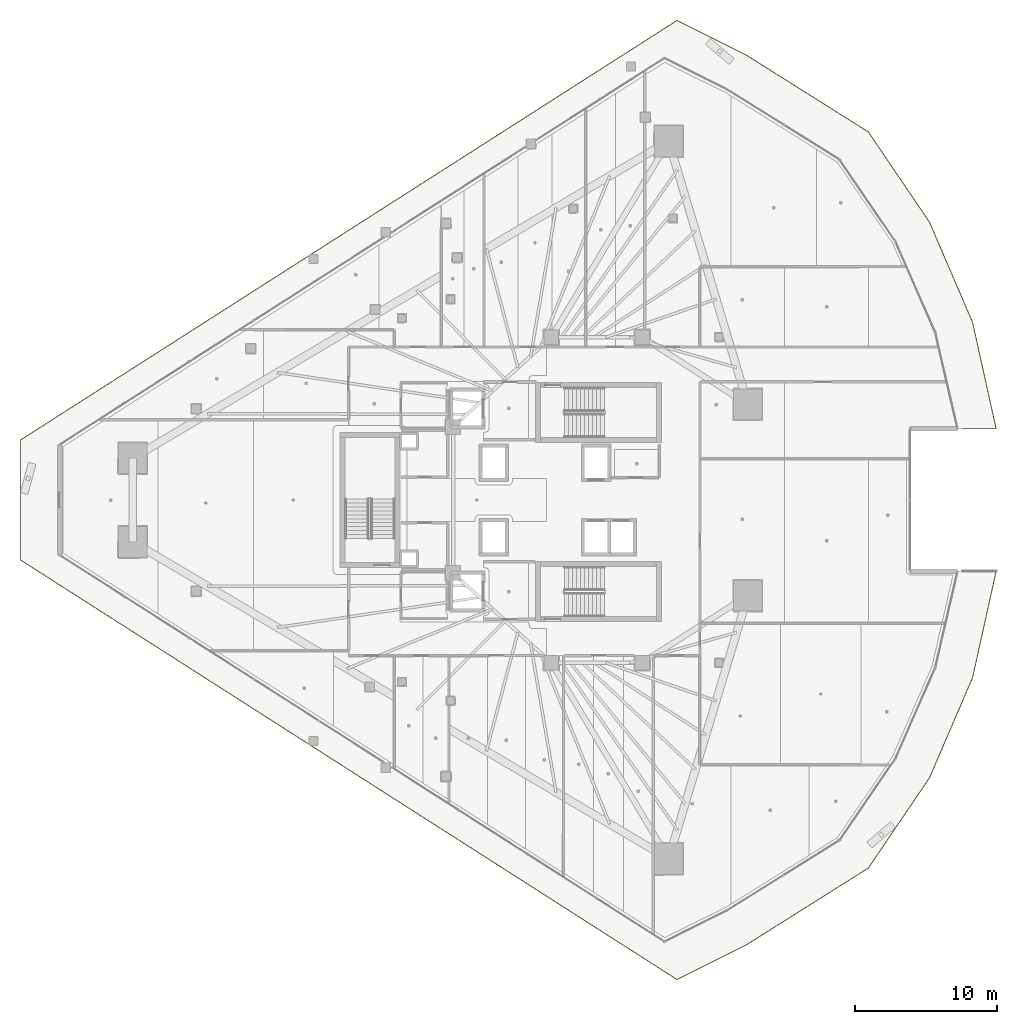
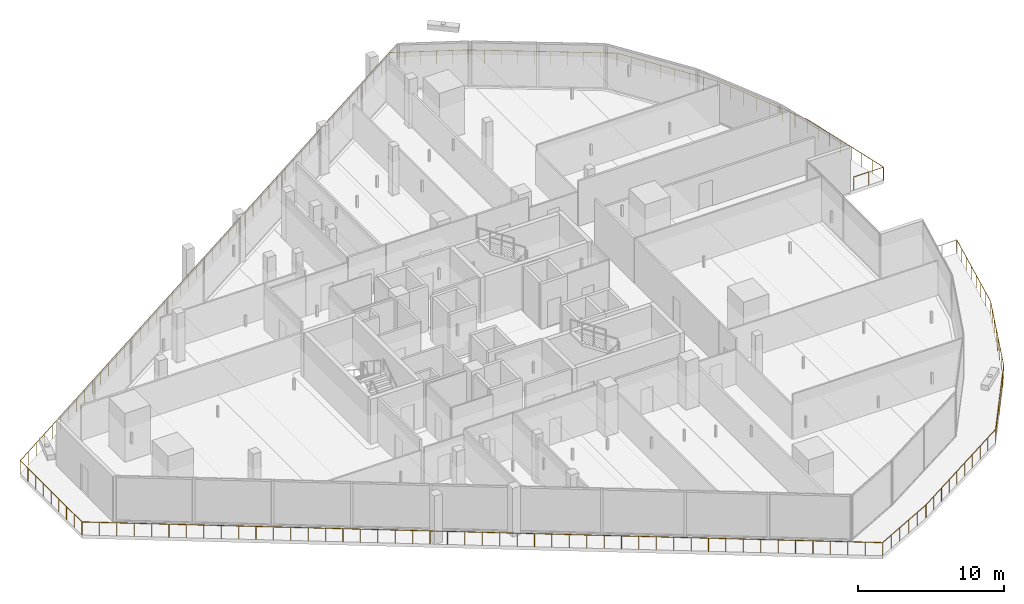
# One storey, part 40 of 44: 1 railing.
"""IFC4 building model written with IfcOpenShell, lengths in metres."""

from ifc_helpers import new_model, si_unit, direction, frame, origin, origin_2d, place, context, subcontext, project, spatial, circle, extrude, material, type_object, element, save


model = new_model("IFC4")

# Units and contexts
model_context = context("Model", 3, precision=1e-05, world=origin(), true_north=direction((0.0, 1.0)))
body_context = subcontext(model_context, "Body", "Model", "MODEL_VIEW")
ifc_project = project(units=[si_unit("LENGTHUNIT", "METRE"), si_unit("AREAUNIT", "SQUARE_METRE"), si_unit("VOLUMEUNIT", "CUBIC_METRE"), si_unit("PLANEANGLEUNIT", "RADIAN"), si_unit("MASSUNIT", "GRAM", prefix="KILO")], contexts=[model_context])

# Site, building, storey
site_placement = place(None, origin())
site = spatial("IfcSite", under=ifc_project, at=site_placement, CompositionType="ELEMENT")
building_placement = place(site_placement, origin())
building = spatial("IfcBuilding", under=site, at=building_placement, Name="Qorvath Tower", CompositionType="ELEMENT")
storey_placement = place(building_placement, frame((0.0, 0.0, 113.85009765625)))
storey = spatial("IfcBuildingStorey", under=building, at=storey_placement, Name="L25", CompositionType="ELEMENT", Elevation=113.85009765625)

# Railing
ifc_material = material(Name="Laminated safety glass and stainless steel AISI 316", Category="steel")
railing_type = type_object("IfcRailingType", Name="RL-EXT-GRD", PredefinedType="GUARDRAIL", material=ifc_material)
railing_placement = place(storey_placement, frame((7.70556640625, -5.01123046875, 0.0)))
element("IfcRailing", 1, at=railing_placement, inside=storey, type_object=railing_type, Name="Loggia Perimeter Guardrail L25-1.1", PredefinedType="GUARDRAIL", context=body_context, shape_type="SweptSolid", body=[
    extrude(circle(Radius=0.02392578125, at=origin_2d()), frame((0.0, 0.0, 1.09619140625), z_axis=(-0.216088212472, -0.976373844606, 0.0), x_axis=(0.976373844606, -0.216088212472, 0.0)), (0.0, 0.0, 1.0), 7.673828125),
    extrude(circle(Radius=0.02392578125, at=origin_2d()), frame((-1.658203125, -7.492431640625, 1.09619140625), z_axis=(-0.395466178511, -0.918480539616, 0.0), x_axis=(0.918480539616, -0.395466178511, 0.0)), (0.0, 0.0, 1.0), 7.673583984375),
    extrude(circle(Radius=0.02392578125, at=origin_2d()), frame((-4.69287109375, -14.54052734375, 1.09619140625), z_axis=(-0.560822820527, -0.827935845326, 0.0), x_axis=(0.827935845326, -0.560822820527, 0.0)), (0.0, 0.0, 1.0), 7.673828125),
    extrude(circle(Radius=0.02392578125, at=origin_2d()), frame((-8.99658203125, -20.89404296875, 1.09619140625), z_axis=(-0.84650840293, -0.532375359844, 0.0), x_axis=(0.532375359844, -0.84650840293, 0.0)), (0.0, 0.0, 1.0), 10.20458984375),
    extrude(circle(Radius=0.02392578125, at=origin_2d()), frame((-17.634765625, -26.32666015625, 1.09619140625), z_axis=(-0.894427191, -0.4472135955, 0.0), x_axis=(0.4472135955, -0.894427191, 0.0)), (0.0, 0.0, 1.0), 5.390380859375),
    extrude(circle(Radius=0.02392578125, at=origin_2d()), frame((-22.4560546875, -28.7373046875, 1.09619140625), z_axis=(-0.84260349441, 0.53853444756, 0.0), x_axis=(-0.53853444756, -0.84260349441, 0.0)), (0.0, 0.0, 1.0), 54.833984375),
    extrude(circle(Radius=0.02392578125, at=origin_2d()), frame((-68.659423828125, 0.792724609375, 1.09619140625), z_axis=(0.0, 1.0, 0.0), x_axis=(-1.0, 0.0, 0.0)), (0.0, 0.0, 1.0), 8.43701171875),
    extrude(circle(Radius=0.02392578125, at=origin_2d()), frame((-68.659423828125, 9.229736328125, 1.09619140625), z_axis=(0.84260349441, 0.53853444756, 0.0), x_axis=(-0.53853444756, 0.84260349441, 0.0)), (0.0, 0.0, 1.0), 54.833984375),
    extrude(circle(Radius=0.02392578125, at=origin_2d()), frame((-22.4560546875, 38.759765625, 1.09619140625), z_axis=(0.894427191, -0.4472135955, 0.0), x_axis=(0.4472135955, 0.894427191, 0.0)), (0.0, 0.0, 1.0), 5.390380859375),
    extrude(circle(Radius=0.02392578125, at=origin_2d()), frame((-17.634765625, 36.34912109375, 1.09619140625), z_axis=(0.84650840293, -0.532375359844, 0.0), x_axis=(0.532375359844, 0.84650840293, 0.0)), (0.0, 0.0, 1.0), 10.20458984375),
    extrude(circle(Radius=0.02392578125, at=origin_2d()), frame((-8.99658203125, 30.91650390625, 1.09619140625), z_axis=(0.560822820527, -0.827935845326, 0.0), x_axis=(0.827935845326, 0.560822820527, 0.0)), (0.0, 0.0, 1.0), 7.673828125),
    extrude(circle(Radius=0.02392578125, at=origin_2d()), frame((-4.69287109375, 24.56298828125, 1.09619140625), z_axis=(0.395466178511, -0.918480539616, 0.0), x_axis=(0.918480539616, 0.395466178511, 0.0)), (0.0, 0.0, 1.0), 7.673583984375),
    extrude(circle(Radius=0.02392578125, at=origin_2d()), frame((-1.658203125, 17.514892578125, 1.09619140625), z_axis=(0.216088212472, -0.976373844606, 0.0), x_axis=(0.976373844606, 0.216088212472, 0.0)), (0.0, 0.0, 1.0), 7.673828125),
    extrude(circle(Radius=0.02392578125, at=origin_2d()), frame((0.0, 10.0224609375, 1.09619140625), z_axis=(-1.0, 0.0, 0.0), x_axis=(0.0, -1.0, 0.0)), (0.0, 0.0, 1.0), 2.366455078125),
    extrude(circle(Radius=0.02099609375, at=origin_2d()), origin(), (0.0, 0.0, 1.0), 1.072021484375),
    extrude(circle(Radius=0.02099609375, at=origin_2d()), frame((-0.23681640625, -1.0703125, 0.0)), (0.0, 0.0, 1.0), 1.072021484375),
    extrude(circle(Radius=0.02099609375, at=origin_2d()), frame((-0.473876953125, -2.140625, 0.0)), (0.0, 0.0, 1.0), 1.072021484375),
    extrude(circle(Radius=0.02099609375, at=origin_2d()), frame((-0.710693359375, -3.2109375, 0.0)), (0.0, 0.0, 1.0), 1.072021484375),
    extrude(circle(Radius=0.02099609375, at=origin_2d()), frame((-0.947509765625, -4.281494140625, 0.0)), (0.0, 0.0, 1.0), 1.072021484375),
    extrude(circle(Radius=0.02099609375, at=origin_2d()), frame((-1.184326171875, -5.351806640625, 0.0)), (0.0, 0.0, 1.0), 1.072021484375),
    extrude(circle(Radius=0.02099609375, at=origin_2d()), frame((-1.42138671875, -6.422119140625, 0.0)), (0.0, 0.0, 1.0), 1.072021484375),
    extrude(circle(Radius=0.02099609375, at=origin_2d()), frame((-1.658203125, -7.492431640625, 0.0)), (0.0, 0.0, 1.0), 1.072021484375),
    extrude(circle(Radius=0.02099609375, at=origin_2d()), frame((-2.091796875, -8.499267578125, 0.0)), (0.0, 0.0, 1.0), 1.072021484375),
    extrude(circle(Radius=0.02099609375, at=origin_2d()), frame((-2.525146484375, -9.506103515625, 0.0)), (0.0, 0.0, 1.0), 1.072021484375),
    extrude(circle(Radius=0.02099609375, at=origin_2d()), frame((-2.958740234375, -10.512939453125, 0.0)), (0.0, 0.0, 1.0), 1.072021484375),
    extrude(circle(Radius=0.02099609375, at=origin_2d()), frame((-3.392333984375, -11.52001953125, 0.0)), (0.0, 0.0, 1.0), 1.072021484375),
    extrude(circle(Radius=0.02099609375, at=origin_2d()), frame((-3.825927734375, -12.52685546875, 0.0)), (0.0, 0.0, 1.0), 1.072021484375),
    extrude(circle(Radius=0.02099609375, at=origin_2d()), frame((-4.25927734375, -13.53369140625, 0.0)), (0.0, 0.0, 1.0), 1.072021484375),
    extrude(circle(Radius=0.02099609375, at=origin_2d()), frame((-4.69287109375, -14.54052734375, 0.0)), (0.0, 0.0, 1.0), 1.072021484375),
    extrude(circle(Radius=0.02099609375, at=origin_2d()), frame((-5.3076171875, -15.4482421875, 0.0)), (0.0, 0.0, 1.0), 1.072021484375),
    extrude(circle(Radius=0.02099609375, at=origin_2d()), frame((-5.922607421875, -16.355712890625, 0.0)), (0.0, 0.0, 1.0), 1.072021484375),
    extrude(circle(Radius=0.02099609375, at=origin_2d()), frame((-6.537353515625, -17.263427734375, 0.0)), (0.0, 0.0, 1.0), 1.072021484375),
    extrude(circle(Radius=0.02099609375, at=origin_2d()), frame((-7.152099609375, -18.171142578125, 0.0)), (0.0, 0.0, 1.0), 1.072021484375),
    extrude(circle(Radius=0.02099609375, at=origin_2d()), frame((-7.766845703125, -19.078857421875, 0.0)), (0.0, 0.0, 1.0), 1.072021484375),
    extrude(circle(Radius=0.02099609375, at=origin_2d()), frame((-8.3818359375, -19.986328125, 0.0)), (0.0, 0.0, 1.0), 1.072021484375),
    extrude(circle(Radius=0.02099609375, at=origin_2d()), frame((-8.99658203125, -20.89404296875, 0.0)), (0.0, 0.0, 1.0), 1.072021484375),
    extrude(circle(Radius=0.02099609375, at=origin_2d()), frame((-9.956298828125, -21.49755859375, 0.0)), (0.0, 0.0, 1.0), 1.072021484375),
    extrude(circle(Radius=0.02099609375, at=origin_2d()), frame((-10.916259765625, -22.101318359375, 0.0)), (0.0, 0.0, 1.0), 1.072021484375),
    extrude(circle(Radius=0.02099609375, at=origin_2d()), frame((-11.8759765625, -22.704833984375, 0.0)), (0.0, 0.0, 1.0), 1.072021484375),
    extrude(circle(Radius=0.02099609375, at=origin_2d()), frame((-12.835693359375, -23.30859375, 0.0)), (0.0, 0.0, 1.0), 1.072021484375),
    extrude(circle(Radius=0.02099609375, at=origin_2d()), frame((-13.795654296875, -23.912109375, 0.0)), (0.0, 0.0, 1.0), 1.072021484375),
    extrude(circle(Radius=0.02099609375, at=origin_2d()), frame((-14.75537109375, -24.515869140625, 0.0)), (0.0, 0.0, 1.0), 1.072021484375),
    extrude(circle(Radius=0.02099609375, at=origin_2d()), frame((-15.715087890625, -25.119384765625, 0.0)), (0.0, 0.0, 1.0), 1.072021484375),
    extrude(circle(Radius=0.02099609375, at=origin_2d()), frame((-16.675048828125, -25.72314453125, 0.0)), (0.0, 0.0, 1.0), 1.072021484375),
    extrude(circle(Radius=0.02099609375, at=origin_2d()), frame((-17.634765625, -26.32666015625, 0.0)), (0.0, 0.0, 1.0), 1.072021484375),
    extrude(circle(Radius=0.02099609375, at=origin_2d()), frame((-18.59912109375, -26.808837890625, 0.0)), (0.0, 0.0, 1.0), 1.072021484375),
    extrude(circle(Radius=0.02099609375, at=origin_2d()), frame((-19.563232421875, -27.291015625, 0.0)), (0.0, 0.0, 1.0), 1.072021484375),
    extrude(circle(Radius=0.02099609375, at=origin_2d()), frame((-20.527587890625, -27.77294921875, 0.0)), (0.0, 0.0, 1.0), 1.072021484375),
    extrude(circle(Radius=0.02099609375, at=origin_2d()), frame((-21.49169921875, -28.255126953125, 0.0)), (0.0, 0.0, 1.0), 1.072021484375),
    extrude(circle(Radius=0.02099609375, at=origin_2d()), frame((-22.4560546875, -28.7373046875, 0.0)), (0.0, 0.0, 1.0), 1.072021484375),
    extrude(circle(Radius=0.02099609375, at=origin_2d()), frame((-23.46044921875, -28.095458984375, 0.0)), (0.0, 0.0, 1.0), 1.072021484375),
    extrude(circle(Radius=0.02099609375, at=origin_2d()), frame((-24.46484375, -27.453369140625, 0.0)), (0.0, 0.0, 1.0), 1.072021484375),
    extrude(circle(Radius=0.02099609375, at=origin_2d()), frame((-25.46923828125, -26.8115234375, 0.0)), (0.0, 0.0, 1.0), 1.072021484375),
    extrude(circle(Radius=0.02099609375, at=origin_2d()), frame((-26.4736328125, -26.16943359375, 0.0)), (0.0, 0.0, 1.0), 1.072021484375),
    extrude(circle(Radius=0.02099609375, at=origin_2d()), frame((-27.478271484375, -25.527587890625, 0.0)), (0.0, 0.0, 1.0), 1.072021484375),
    extrude(circle(Radius=0.02099609375, at=origin_2d()), frame((-28.482666015625, -24.885498046875, 0.0)), (0.0, 0.0, 1.0), 1.072021484375),
    extrude(circle(Radius=0.02099609375, at=origin_2d()), frame((-29.487060546875, -24.24365234375, 0.0)), (0.0, 0.0, 1.0), 1.072021484375),
    extrude(circle(Radius=0.02099609375, at=origin_2d()), frame((-30.491455078125, -23.6015625, 0.0)), (0.0, 0.0, 1.0), 1.072021484375),
    extrude(circle(Radius=0.02099609375, at=origin_2d()), frame((-31.495849609375, -22.959716796875, 0.0)), (0.0, 0.0, 1.0), 1.072021484375),
    extrude(circle(Radius=0.02099609375, at=origin_2d()), frame((-32.500244140625, -22.317626953125, 0.0)), (0.0, 0.0, 1.0), 1.072021484375),
    extrude(circle(Radius=0.02099609375, at=origin_2d()), frame((-33.504638671875, -21.67578125, 0.0)), (0.0, 0.0, 1.0), 1.072021484375),
    extrude(circle(Radius=0.02099609375, at=origin_2d()), frame((-34.509033203125, -21.033935546875, 0.0)), (0.0, 0.0, 1.0), 1.072021484375),
    extrude(circle(Radius=0.02099609375, at=origin_2d()), frame((-35.513427734375, -20.391845703125, 0.0)), (0.0, 0.0, 1.0), 1.072021484375),
    extrude(circle(Radius=0.02099609375, at=origin_2d()), frame((-36.51806640625, -19.75, 0.0)), (0.0, 0.0, 1.0), 1.072021484375),
    extrude(circle(Radius=0.02099609375, at=origin_2d()), frame((-37.5224609375, -19.10791015625, 0.0)), (0.0, 0.0, 1.0), 1.072021484375),
    extrude(circle(Radius=0.02099609375, at=origin_2d()), frame((-38.52685546875, -18.466064453125, 0.0)), (0.0, 0.0, 1.0), 1.072021484375),
    extrude(circle(Radius=0.02099609375, at=origin_2d()), frame((-39.53125, -17.823974609375, 0.0)), (0.0, 0.0, 1.0), 1.072021484375),
    extrude(circle(Radius=0.02099609375, at=origin_2d()), frame((-40.53564453125, -17.18212890625, 0.0)), (0.0, 0.0, 1.0), 1.072021484375),
    extrude(circle(Radius=0.02099609375, at=origin_2d()), frame((-41.5400390625, -16.5400390625, 0.0)), (0.0, 0.0, 1.0), 1.072021484375),
    extrude(circle(Radius=0.02099609375, at=origin_2d()), frame((-42.54443359375, -15.898193359375, 0.0)), (0.0, 0.0, 1.0), 1.072021484375),
    extrude(circle(Radius=0.02099609375, at=origin_2d()), frame((-43.548828125, -15.256103515625, 0.0)), (0.0, 0.0, 1.0), 1.072021484375),
    extrude(circle(Radius=0.02099609375, at=origin_2d()), frame((-44.55322265625, -14.6142578125, 0.0)), (0.0, 0.0, 1.0), 1.072021484375),
    extrude(circle(Radius=0.02099609375, at=origin_2d()), frame((-45.5576171875, -13.97216796875, 0.0)), (0.0, 0.0, 1.0), 1.072021484375),
    extrude(circle(Radius=0.02099609375, at=origin_2d()), frame((-46.562255859375, -13.330322265625, 0.0)), (0.0, 0.0, 1.0), 1.072021484375),
    extrude(circle(Radius=0.02099609375, at=origin_2d()), frame((-47.566650390625, -12.6884765625, 0.0)), (0.0, 0.0, 1.0), 1.072021484375),
    extrude(circle(Radius=0.02099609375, at=origin_2d()), frame((-48.571044921875, -12.04638671875, 0.0)), (0.0, 0.0, 1.0), 1.072021484375),
    extrude(circle(Radius=0.02099609375, at=origin_2d()), frame((-49.575439453125, -11.404541015625, 0.0)), (0.0, 0.0, 1.0), 1.072021484375),
    extrude(circle(Radius=0.02099609375, at=origin_2d()), frame((-50.579833984375, -10.762451171875, 0.0)), (0.0, 0.0, 1.0), 1.072021484375),
    extrude(circle(Radius=0.02099609375, at=origin_2d()), frame((-51.584228515625, -10.12060546875, 0.0)), (0.0, 0.0, 1.0), 1.072021484375),
    extrude(circle(Radius=0.02099609375, at=origin_2d()), frame((-52.588623046875, -9.478515625, 0.0)), (0.0, 0.0, 1.0), 1.072021484375),
    extrude(circle(Radius=0.02099609375, at=origin_2d()), frame((-53.593017578125, -8.836669921875, 0.0)), (0.0, 0.0, 1.0), 1.072021484375),
    extrude(circle(Radius=0.02099609375, at=origin_2d()), frame((-54.597412109375, -8.194580078125, 0.0)), (0.0, 0.0, 1.0), 1.072021484375),
    extrude(circle(Radius=0.02099609375, at=origin_2d()), frame((-55.60205078125, -7.552734375, 0.0)), (0.0, 0.0, 1.0), 1.072021484375),
    extrude(circle(Radius=0.02099609375, at=origin_2d()), frame((-56.6064453125, -6.91064453125, 0.0)), (0.0, 0.0, 1.0), 1.072021484375),
    extrude(circle(Radius=0.02099609375, at=origin_2d()), frame((-57.61083984375, -6.268798828125, 0.0)), (0.0, 0.0, 1.0), 1.072021484375),
    extrude(circle(Radius=0.02099609375, at=origin_2d()), frame((-58.615234375, -5.626953125, 0.0)), (0.0, 0.0, 1.0), 1.072021484375),
    extrude(circle(Radius=0.02099609375, at=origin_2d()), frame((-59.61962890625, -4.98486328125, 0.0)), (0.0, 0.0, 1.0), 1.072021484375),
    extrude(circle(Radius=0.02099609375, at=origin_2d()), frame((-60.6240234375, -4.343017578125, 0.0)), (0.0, 0.0, 1.0), 1.072021484375),
    extrude(circle(Radius=0.02099609375, at=origin_2d()), frame((-61.62841796875, -3.700927734375, 0.0)), (0.0, 0.0, 1.0), 1.072021484375),
    extrude(circle(Radius=0.02099609375, at=origin_2d()), frame((-62.6328125, -3.05908203125, 0.0)), (0.0, 0.0, 1.0), 1.072021484375),
    extrude(circle(Radius=0.02099609375, at=origin_2d()), frame((-63.63720703125, -2.4169921875, 0.0)), (0.0, 0.0, 1.0), 1.072021484375),
    extrude(circle(Radius=0.02099609375, at=origin_2d()), frame((-64.641845703125, -1.775146484375, 0.0)), (0.0, 0.0, 1.0), 1.072021484375),
    extrude(circle(Radius=0.02099609375, at=origin_2d()), frame((-65.646240234375, -1.133056640625, 0.0)), (0.0, 0.0, 1.0), 1.072021484375),
    extrude(circle(Radius=0.02099609375, at=origin_2d()), frame((-66.650634765625, -0.4912109375, 0.0)), (0.0, 0.0, 1.0), 1.072021484375),
    extrude(circle(Radius=0.02099609375, at=origin_2d()), frame((-67.655029296875, 0.15087890625, 0.0)), (0.0, 0.0, 1.0), 1.072021484375),
    extrude(circle(Radius=0.02099609375, at=origin_2d()), frame((-68.659423828125, 0.792724609375, 0.0)), (0.0, 0.0, 1.0), 1.072021484375),
    extrude(circle(Radius=0.02099609375, at=origin_2d()), frame((-68.659423828125, 1.847412109375, 0.0)), (0.0, 0.0, 1.0), 1.072021484375),
    extrude(circle(Radius=0.02099609375, at=origin_2d()), frame((-68.659423828125, 2.90185546875, 0.0)), (0.0, 0.0, 1.0), 1.072021484375),
    extrude(circle(Radius=0.02099609375, at=origin_2d()), frame((-68.659423828125, 3.95654296875, 0.0)), (0.0, 0.0, 1.0), 1.072021484375),
    extrude(circle(Radius=0.02099609375, at=origin_2d()), frame((-68.659423828125, 5.01123046875, 0.0)), (0.0, 0.0, 1.0), 1.072021484375),
    extrude(circle(Radius=0.02099609375, at=origin_2d()), frame((-68.659423828125, 6.06591796875, 0.0)), (0.0, 0.0, 1.0), 1.072021484375),
    extrude(circle(Radius=0.02099609375, at=origin_2d()), frame((-68.659423828125, 7.12060546875, 0.0)), (0.0, 0.0, 1.0), 1.072021484375),
    extrude(circle(Radius=0.02099609375, at=origin_2d()), frame((-68.659423828125, 8.175048828125, 0.0)), (0.0, 0.0, 1.0), 1.072021484375),
    extrude(circle(Radius=0.02099609375, at=origin_2d()), frame((-68.659423828125, 9.229736328125, 0.0)), (0.0, 0.0, 1.0), 1.072021484375),
    extrude(circle(Radius=0.02099609375, at=origin_2d()), frame((-67.655029296875, 9.87158203125, 0.0)), (0.0, 0.0, 1.0), 1.072021484375),
    extrude(circle(Radius=0.02099609375, at=origin_2d()), frame((-66.650634765625, 10.513671875, 0.0)), (0.0, 0.0, 1.0), 1.072021484375),
    extrude(circle(Radius=0.02099609375, at=origin_2d()), frame((-65.646240234375, 11.155517578125, 0.0)), (0.0, 0.0, 1.0), 1.072021484375),
    extrude(circle(Radius=0.02099609375, at=origin_2d()), frame((-64.641845703125, 11.797607421875, 0.0)), (0.0, 0.0, 1.0), 1.072021484375),
    extrude(circle(Radius=0.02099609375, at=origin_2d()), frame((-63.63720703125, 12.439453125, 0.0)), (0.0, 0.0, 1.0), 1.072021484375),
    extrude(circle(Radius=0.02099609375, at=origin_2d()), frame((-62.6328125, 13.08154296875, 0.0)), (0.0, 0.0, 1.0), 1.072021484375),
    extrude(circle(Radius=0.02099609375, at=origin_2d()), frame((-61.62841796875, 13.723388671875, 0.0)), (0.0, 0.0, 1.0), 1.072021484375),
    extrude(circle(Radius=0.02099609375, at=origin_2d()), frame((-60.6240234375, 14.365478515625, 0.0)), (0.0, 0.0, 1.0), 1.072021484375),
    extrude(circle(Radius=0.02099609375, at=origin_2d()), frame((-59.61962890625, 15.00732421875, 0.0)), (0.0, 0.0, 1.0), 1.072021484375),
    extrude(circle(Radius=0.02099609375, at=origin_2d()), frame((-58.615234375, 15.6494140625, 0.0)), (0.0, 0.0, 1.0), 1.072021484375),
    extrude(circle(Radius=0.02099609375, at=origin_2d()), frame((-57.61083984375, 16.291259765625, 0.0)), (0.0, 0.0, 1.0), 1.072021484375),
    extrude(circle(Radius=0.02099609375, at=origin_2d()), frame((-56.6064453125, 16.93310546875, 0.0)), (0.0, 0.0, 1.0), 1.072021484375),
    extrude(circle(Radius=0.02099609375, at=origin_2d()), frame((-55.60205078125, 17.5751953125, 0.0)), (0.0, 0.0, 1.0), 1.072021484375),
    extrude(circle(Radius=0.02099609375, at=origin_2d()), frame((-54.597412109375, 18.217041015625, 0.0)), (0.0, 0.0, 1.0), 1.072021484375),
    extrude(circle(Radius=0.02099609375, at=origin_2d()), frame((-53.593017578125, 18.859130859375, 0.0)), (0.0, 0.0, 1.0), 1.072021484375),
    extrude(circle(Radius=0.02099609375, at=origin_2d()), frame((-52.588623046875, 19.5009765625, 0.0)), (0.0, 0.0, 1.0), 1.072021484375),
    extrude(circle(Radius=0.02099609375, at=origin_2d()), frame((-51.584228515625, 20.14306640625, 0.0)), (0.0, 0.0, 1.0), 1.072021484375),
    extrude(circle(Radius=0.02099609375, at=origin_2d()), frame((-50.579833984375, 20.784912109375, 0.0)), (0.0, 0.0, 1.0), 1.072021484375),
    extrude(circle(Radius=0.02099609375, at=origin_2d()), frame((-49.575439453125, 21.427001953125, 0.0)), (0.0, 0.0, 1.0), 1.072021484375),
    extrude(circle(Radius=0.02099609375, at=origin_2d()), frame((-48.571044921875, 22.06884765625, 0.0)), (0.0, 0.0, 1.0), 1.072021484375),
    extrude(circle(Radius=0.02099609375, at=origin_2d()), frame((-47.566650390625, 22.7109375, 0.0)), (0.0, 0.0, 1.0), 1.072021484375),
    extrude(circle(Radius=0.02099609375, at=origin_2d()), frame((-46.562255859375, 23.352783203125, 0.0)), (0.0, 0.0, 1.0), 1.072021484375),
    extrude(circle(Radius=0.02099609375, at=origin_2d()), frame((-45.5576171875, 23.99462890625, 0.0)), (0.0, 0.0, 1.0), 1.072021484375),
    extrude(circle(Radius=0.02099609375, at=origin_2d()), frame((-44.55322265625, 24.63671875, 0.0)), (0.0, 0.0, 1.0), 1.072021484375),
    extrude(circle(Radius=0.02099609375, at=origin_2d()), frame((-43.548828125, 25.278564453125, 0.0)), (0.0, 0.0, 1.0), 1.072021484375),
    extrude(circle(Radius=0.02099609375, at=origin_2d()), frame((-42.54443359375, 25.920654296875, 0.0)), (0.0, 0.0, 1.0), 1.072021484375),
    extrude(circle(Radius=0.02099609375, at=origin_2d()), frame((-41.5400390625, 26.5625, 0.0)), (0.0, 0.0, 1.0), 1.072021484375),
    extrude(circle(Radius=0.02099609375, at=origin_2d()), frame((-40.53564453125, 27.20458984375, 0.0)), (0.0, 0.0, 1.0), 1.072021484375),
    extrude(circle(Radius=0.02099609375, at=origin_2d()), frame((-39.53125, 27.846435546875, 0.0)), (0.0, 0.0, 1.0), 1.072021484375),
    extrude(circle(Radius=0.02099609375, at=origin_2d()), frame((-38.52685546875, 28.488525390625, 0.0)), (0.0, 0.0, 1.0), 1.072021484375),
    extrude(circle(Radius=0.02099609375, at=origin_2d()), frame((-37.5224609375, 29.13037109375, 0.0)), (0.0, 0.0, 1.0), 1.072021484375),
    extrude(circle(Radius=0.02099609375, at=origin_2d()), frame((-36.51806640625, 29.7724609375, 0.0)), (0.0, 0.0, 1.0), 1.072021484375),
    extrude(circle(Radius=0.02099609375, at=origin_2d()), frame((-35.513427734375, 30.414306640625, 0.0)), (0.0, 0.0, 1.0), 1.072021484375),
    extrude(circle(Radius=0.02099609375, at=origin_2d()), frame((-34.509033203125, 31.056396484375, 0.0)), (0.0, 0.0, 1.0), 1.072021484375),
    extrude(circle(Radius=0.02099609375, at=origin_2d()), frame((-33.504638671875, 31.6982421875, 0.0)), (0.0, 0.0, 1.0), 1.072021484375),
    extrude(circle(Radius=0.02099609375, at=origin_2d()), frame((-32.500244140625, 32.340087890625, 0.0)), (0.0, 0.0, 1.0), 1.072021484375),
    extrude(circle(Radius=0.02099609375, at=origin_2d()), frame((-31.495849609375, 32.982177734375, 0.0)), (0.0, 0.0, 1.0), 1.072021484375),
    extrude(circle(Radius=0.02099609375, at=origin_2d()), frame((-30.491455078125, 33.6240234375, 0.0)), (0.0, 0.0, 1.0), 1.072021484375),
    extrude(circle(Radius=0.02099609375, at=origin_2d()), frame((-29.487060546875, 34.26611328125, 0.0)), (0.0, 0.0, 1.0), 1.072021484375),
    extrude(circle(Radius=0.02099609375, at=origin_2d()), frame((-28.482666015625, 34.907958984375, 0.0)), (0.0, 0.0, 1.0), 1.072021484375),
    extrude(circle(Radius=0.02099609375, at=origin_2d()), frame((-27.478271484375, 35.550048828125, 0.0)), (0.0, 0.0, 1.0), 1.072021484375),
    extrude(circle(Radius=0.02099609375, at=origin_2d()), frame((-26.4736328125, 36.19189453125, 0.0)), (0.0, 0.0, 1.0), 1.072021484375),
    extrude(circle(Radius=0.02099609375, at=origin_2d()), frame((-25.46923828125, 36.833984375, 0.0)), (0.0, 0.0, 1.0), 1.072021484375),
    extrude(circle(Radius=0.02099609375, at=origin_2d()), frame((-24.46484375, 37.475830078125, 0.0)), (0.0, 0.0, 1.0), 1.072021484375),
    extrude(circle(Radius=0.02099609375, at=origin_2d()), frame((-23.46044921875, 38.117919921875, 0.0)), (0.0, 0.0, 1.0), 1.072021484375),
    extrude(circle(Radius=0.02099609375, at=origin_2d()), frame((-22.4560546875, 38.759765625, 0.0)), (0.0, 0.0, 1.0), 1.072021484375),
    extrude(circle(Radius=0.02099609375, at=origin_2d()), frame((-21.49169921875, 38.277587890625, 0.0)), (0.0, 0.0, 1.0), 1.072021484375),
    extrude(circle(Radius=0.02099609375, at=origin_2d()), frame((-20.527587890625, 37.79541015625, 0.0)), (0.0, 0.0, 1.0), 1.072021484375),
    extrude(circle(Radius=0.02099609375, at=origin_2d()), frame((-19.563232421875, 37.3134765625, 0.0)), (0.0, 0.0, 1.0), 1.072021484375),
    extrude(circle(Radius=0.02099609375, at=origin_2d()), frame((-18.59912109375, 36.831298828125, 0.0)), (0.0, 0.0, 1.0), 1.072021484375),
    extrude(circle(Radius=0.02099609375, at=origin_2d()), frame((-17.634765625, 36.34912109375, 0.0)), (0.0, 0.0, 1.0), 1.072021484375),
    extrude(circle(Radius=0.02099609375, at=origin_2d()), frame((-16.675048828125, 35.74560546875, 0.0)), (0.0, 0.0, 1.0), 1.072021484375),
    extrude(circle(Radius=0.02099609375, at=origin_2d()), frame((-15.715087890625, 35.141845703125, 0.0)), (0.0, 0.0, 1.0), 1.072021484375),
    extrude(circle(Radius=0.02099609375, at=origin_2d()), frame((-14.75537109375, 34.538330078125, 0.0)), (0.0, 0.0, 1.0), 1.072021484375),
    extrude(circle(Radius=0.02099609375, at=origin_2d()), frame((-13.795654296875, 33.9345703125, 0.0)), (0.0, 0.0, 1.0), 1.072021484375),
    extrude(circle(Radius=0.02099609375, at=origin_2d()), frame((-12.835693359375, 33.3310546875, 0.0)), (0.0, 0.0, 1.0), 1.072021484375),
    extrude(circle(Radius=0.02099609375, at=origin_2d()), frame((-11.8759765625, 32.727294921875, 0.0)), (0.0, 0.0, 1.0), 1.072021484375),
    extrude(circle(Radius=0.02099609375, at=origin_2d()), frame((-10.916259765625, 32.123779296875, 0.0)), (0.0, 0.0, 1.0), 1.072021484375),
    extrude(circle(Radius=0.02099609375, at=origin_2d()), frame((-9.956298828125, 31.52001953125, 0.0)), (0.0, 0.0, 1.0), 1.072021484375),
    extrude(circle(Radius=0.02099609375, at=origin_2d()), frame((-8.99658203125, 30.91650390625, 0.0)), (0.0, 0.0, 1.0), 1.072021484375),
    extrude(circle(Radius=0.02099609375, at=origin_2d()), frame((-8.3818359375, 30.0087890625, 0.0)), (0.0, 0.0, 1.0), 1.072021484375),
    extrude(circle(Radius=0.02099609375, at=origin_2d()), frame((-7.766845703125, 29.101318359375, 0.0)), (0.0, 0.0, 1.0), 1.072021484375),
    extrude(circle(Radius=0.02099609375, at=origin_2d()), frame((-7.152099609375, 28.193603515625, 0.0)), (0.0, 0.0, 1.0), 1.072021484375),
    extrude(circle(Radius=0.02099609375, at=origin_2d()), frame((-6.537353515625, 27.285888671875, 0.0)), (0.0, 0.0, 1.0), 1.072021484375),
    extrude(circle(Radius=0.02099609375, at=origin_2d()), frame((-5.922607421875, 26.378173828125, 0.0)), (0.0, 0.0, 1.0), 1.072021484375),
    extrude(circle(Radius=0.02099609375, at=origin_2d()), frame((-5.3076171875, 25.470703125, 0.0)), (0.0, 0.0, 1.0), 1.072021484375),
    extrude(circle(Radius=0.02099609375, at=origin_2d()), frame((-4.69287109375, 24.56298828125, 0.0)), (0.0, 0.0, 1.0), 1.072021484375),
    extrude(circle(Radius=0.02099609375, at=origin_2d()), frame((-4.25927734375, 23.55615234375, 0.0)), (0.0, 0.0, 1.0), 1.072021484375),
    extrude(circle(Radius=0.02099609375, at=origin_2d()), frame((-3.825927734375, 22.54931640625, 0.0)), (0.0, 0.0, 1.0), 1.072021484375),
    extrude(circle(Radius=0.02099609375, at=origin_2d()), frame((-3.392333984375, 21.54248046875, 0.0)), (0.0, 0.0, 1.0), 1.072021484375),
    extrude(circle(Radius=0.02099609375, at=origin_2d()), frame((-2.958740234375, 20.535400390625, 0.0)), (0.0, 0.0, 1.0), 1.072021484375),
    extrude(circle(Radius=0.02099609375, at=origin_2d()), frame((-2.525146484375, 19.528564453125, 0.0)), (0.0, 0.0, 1.0), 1.072021484375),
    extrude(circle(Radius=0.02099609375, at=origin_2d()), frame((-2.091796875, 18.521728515625, 0.0)), (0.0, 0.0, 1.0), 1.072021484375),
    extrude(circle(Radius=0.02099609375, at=origin_2d()), frame((-1.658203125, 17.514892578125, 0.0)), (0.0, 0.0, 1.0), 1.072021484375),
    extrude(circle(Radius=0.02099609375, at=origin_2d()), frame((-1.42138671875, 16.444580078125, 0.0)), (0.0, 0.0, 1.0), 1.072021484375),
    extrude(circle(Radius=0.02099609375, at=origin_2d()), frame((-1.184326171875, 15.374267578125, 0.0)), (0.0, 0.0, 1.0), 1.072021484375),
    extrude(circle(Radius=0.02099609375, at=origin_2d()), frame((-0.947509765625, 14.303955078125, 0.0)), (0.0, 0.0, 1.0), 1.072021484375),
    extrude(circle(Radius=0.02099609375, at=origin_2d()), frame((-0.710693359375, 13.2333984375, 0.0)), (0.0, 0.0, 1.0), 1.072021484375),
    extrude(circle(Radius=0.02099609375, at=origin_2d()), frame((-0.473876953125, 12.1630859375, 0.0)), (0.0, 0.0, 1.0), 1.072021484375),
    extrude(circle(Radius=0.02099609375, at=origin_2d()), frame((-0.23681640625, 11.0927734375, 0.0)), (0.0, 0.0, 1.0), 1.072021484375),
    extrude(circle(Radius=0.02099609375, at=origin_2d()), frame((0.0, 10.0224609375, 0.0)), (0.0, 0.0, 1.0), 1.072021484375),
    extrude(circle(Radius=0.02099609375, at=origin_2d()), frame((-1.18310546875, 10.0224609375, 0.0)), (0.0, 0.0, 1.0), 1.072021484375),
    extrude(circle(Radius=0.02099609375, at=origin_2d()), frame((-2.366455078125, 10.0224609375, 0.0)), (0.0, 0.0, 1.0), 1.072021484375),
])

save(model, "model.ifc")
